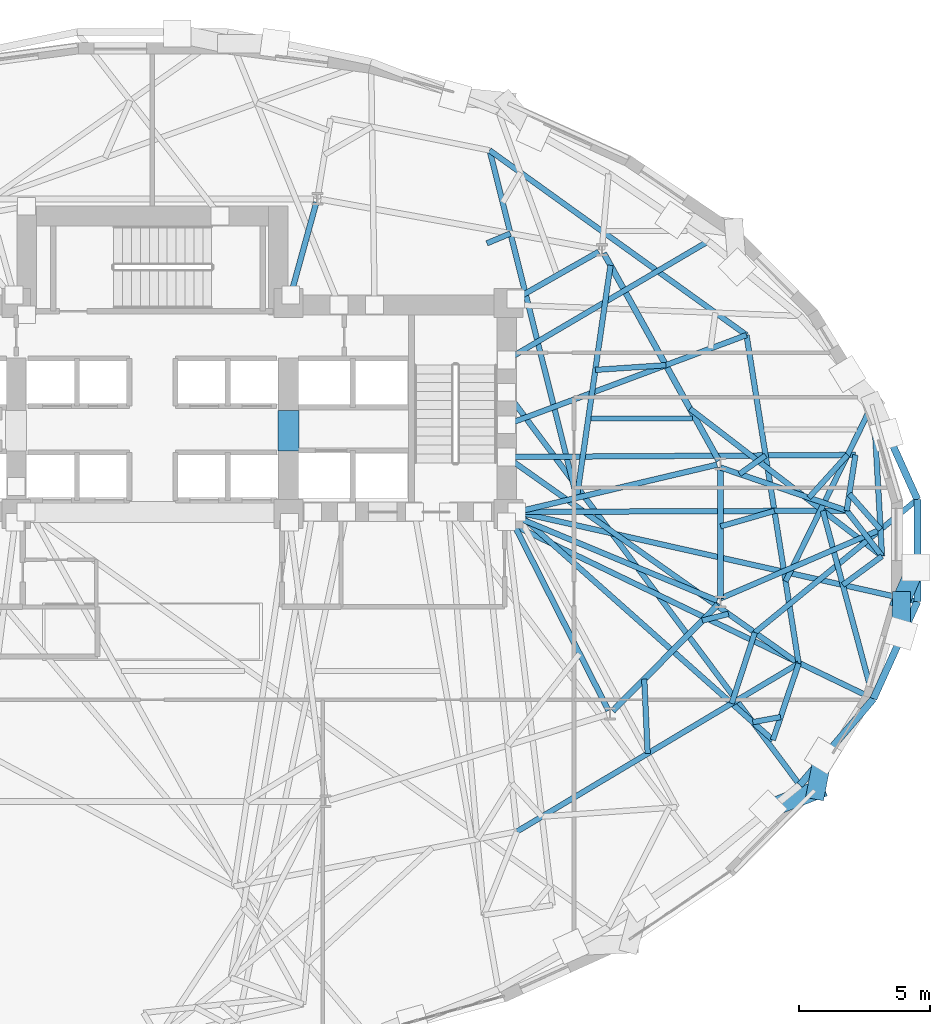
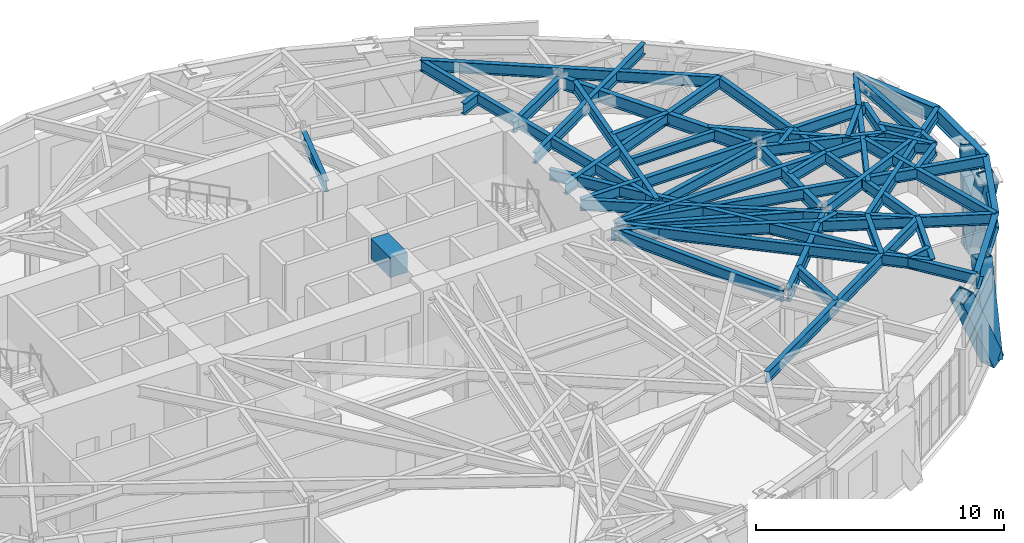
# One storey, part 6 of 20: 49 beams, 4 members.
"""IFC4 building model written with IfcOpenShell, lengths in metres."""

from ifc_helpers import new_model, si_unit, direction, frame, origin, origin_2d, place, context, subcontext, project, spatial, rectangle, hollow_rectangle, i_section, extrude, material, material_profile, profile_set, type_object, element, save


model = new_model("IFC4")

# Units and contexts
model_context = context("Model", 3, precision=1e-05, world=origin(), true_north=direction((0.0, 1.0)))
body_context = subcontext(model_context, "Body", "Model", "MODEL_VIEW")
ifc_project = project(units=[si_unit("LENGTHUNIT", "METRE"), si_unit("AREAUNIT", "SQUARE_METRE"), si_unit("VOLUMEUNIT", "CUBIC_METRE"), si_unit("PLANEANGLEUNIT", "RADIAN"), si_unit("MASSUNIT", "GRAM", prefix="KILO")], contexts=[model_context])

# Site, building, storey
site_placement = place(None, origin())
site = spatial("IfcSite", under=ifc_project, at=site_placement, CompositionType="ELEMENT")
building_placement = place(site_placement, origin())
building = spatial("IfcBuilding", under=site, at=building_placement, Name="Keldmark Tower", CompositionType="ELEMENT")
storey_placement = place(building_placement, frame((0.0, 0.0, 81.89990234375)))
storey = spatial("IfcBuildingStorey", under=building, at=storey_placement, Name="L21", CompositionType="ELEMENT", Elevation=81.89990234375)

# Beams
ifc_material_1 = material(Name="Steel ASTM A992 Grade 50", Category="steel")
ifc_material_profile_1 = material_profile(ifc_material_1, i_section(OverallWidth=0.19091796875, OverallDepth=0.45703125, WebThickness=0.009033203125, FlangeThickness=0.014404296875, at=origin_2d()), Name="W18X50")
ifc_profile_set_1 = profile_set([ifc_material_profile_1], Name="Steel ASTM A992 Grade 50")
beam_type_1 = type_object("IfcBeamType", Name="Composite Floor Joist W18X50", PredefinedType="JOIST", material=ifc_profile_set_1)
beam_1_placement = place(storey_placement, frame((16.74169921875, 5.0400390625, 3.781494140625), z_axis=(1.0, 0.0, 0.0), x_axis=(0.0, 1.0, 0.0)))
element("IfcBeam", 1, at=beam_1_placement, inside=storey, type_object=beam_type_1, Name="L21 Composite Floor Joist J08", PredefinedType="JOIST", context=body_context, shape_type="SweptSolid", body=[
    extrude(i_section(OverallWidth=0.19091796875, OverallDepth=0.45703125, WebThickness=0.009033203125, FlangeThickness=0.014404296875, at=origin_2d()), origin(), (0.0, 0.0, 1.0), 3.87451171875),
])
ifc_material_2 = material(Name="Concrete C70/85", Category="concrete")
ifc_material_profile_2 = material_profile(ifc_material_2, rectangle(XDim=0.800048828125, YDim=1.0, at=origin_2d()), Name="RCB800X1000")
ifc_profile_set_2 = profile_set([ifc_material_profile_2], Name="Concrete C70/85")
beam_type_2 = type_object("IfcBeamType", Name="Core Coupling Beam RCB800X1000", PredefinedType="USERDEFINED", material=ifc_profile_set_2)
beam_2_placement = place(storey_placement, frame((5.199951171875, 3.800048828125, 3.510009765625), z_axis=(0.0, 1.0, 0.0), x_axis=(-1.0, 0.0, 0.0)))
element("IfcBeam", 2, at=beam_2_placement, inside=storey, type_object=beam_type_2, Name="L21 East Core Coupling Beam", ObjectType="COUPLING BEAM", PredefinedType="USERDEFINED", context=body_context, shape_type="SweptSolid", body=[
    extrude(rectangle(XDim=0.800048828125, YDim=1.0, at=origin_2d()), origin(), (0.0, 0.0, 1.0), 1.550048828125),
])

# Members
ifc_material_3 = material(Name="Steel ASTM A572 Grade 50", Category="steel")
ifc_material_profile_3 = material_profile(ifc_material_3, hollow_rectangle(XDim=0.699951171875, YDim=0.699951171875, WallThickness=0.054931640625, at=origin_2d()), Name="BOX700X700X55")
ifc_profile_set_3 = profile_set([ifc_material_profile_3], Name="Steel ASTM A572 Grade 50")
member_type = type_object("IfcMemberType", Name="Diagrid Zone 1 Brace BOX700X700X55", PredefinedType="BRACE", material=ifc_profile_set_3)
member_1_placement = place(storey_placement, frame((25.352783203125, -9.154052734375, -0.2998046875), z_axis=(-0.398325246268, -0.153903180469, 0.904240459848), x_axis=(0.360409039114, -0.932794363472, 0.0)))
element("IfcMember", 3, at=member_1_placement, inside=storey, type_object=member_type, Name="L21 Perimeter Diagrid Brace 15A", PredefinedType="BRACE", context=body_context, shape_type="SweptSolid", body=[
    extrude(hollow_rectangle(XDim=0.699951171875, YDim=0.699951171875, WallThickness=0.054931640625, at=origin_2d()), origin(), (0.0, 0.0, 1.0), 4.633544921875),
])
member_2_placement = place(storey_placement, frame((25.346435546875, -9.163818359375, -0.2998046875), z_axis=(0.058584183224, 0.302952833968, 0.951203171708), x_axis=(-0.981811185418, 0.189859938344, 0.0)))
element("IfcMember", 4, at=member_2_placement, inside=storey, type_object=member_type, Name="L21 Perimeter Diagrid Brace 15B", PredefinedType="BRACE", context=body_context, shape_type="SweptSolid", body=[
    extrude(hollow_rectangle(XDim=0.699951171875, YDim=0.699951171875, WallThickness=0.054931640625, at=origin_2d()), origin(), (0.0, 0.0, 1.0), 4.40478515625),
])
member_3_placement = place(storey_placement, frame((28.60400390625, -1.893798828125, -0.2998046875), z_axis=(-0.002842836438, -0.291251380142, 0.956642332247), x_axis=(0.999952367131, -0.009760300617, 0.0)))
element("IfcMember", 5, at=member_3_placement, inside=storey, type_object=member_type, Name="L21 Perimeter Diagrid Brace 16A", PredefinedType="BRACE", context=body_context, shape_type="SweptSolid", body=[
    extrude(hollow_rectangle(XDim=0.699951171875, YDim=0.699951171875, WallThickness=0.054931640625, at=origin_2d()), origin(), (0.0, 0.0, 1.0), 4.3798828125),
])
member_4_placement = place(storey_placement, frame((28.6015625, -1.905517578125, -0.2998046875), z_axis=(0.12396012123, 0.286066076997, 0.950157927892), x_axis=(-0.917557784833, 0.397602454082, 0.0)))
element("IfcMember", 6, at=member_4_placement, inside=storey, type_object=member_type, Name="L21 Perimeter Diagrid Brace 16B", PredefinedType="BRACE", context=body_context, shape_type="SweptSolid", body=[
    extrude(hollow_rectangle(XDim=0.699951171875, YDim=0.699951171875, WallThickness=0.054931640625, at=origin_2d()), origin(), (0.0, 0.0, 1.0), 4.40966796875),
])

# Beams
ifc_material_4 = material(Name="Steel ASTM A992 Grade 50", Category="steel")
ifc_material_profile_4 = material_profile(ifc_material_4, i_section(OverallWidth=0.22900390625, OverallDepth=0.612060546875, WebThickness=0.011962890625, FlangeThickness=0.01953125, at=origin_2d()), Name="W24X84")
ifc_profile_set_4 = profile_set([ifc_material_profile_4], Name="Steel ASTM A992 Grade 50")
beam_type_3 = type_object("IfcBeamType", Name="Primary Floor Girder W24X84", PredefinedType="BEAM", material=ifc_profile_set_4)
beam_3_placement = place(storey_placement, frame((21.62890625, 3.432373046875, 3.7041015625), z_axis=(-0.484951836703, 0.874540860154, 0.0), x_axis=(-0.874540860154, -0.484951836703, 0.0)))
element("IfcBeam", 7, at=beam_3_placement, inside=storey, type_object=beam_type_3, Name="L21 Floor Ring Girder FG-R01", PredefinedType="BEAM", context=body_context, shape_type="SweptSolid", body=[
    extrude(i_section(OverallWidth=0.22900390625, OverallDepth=0.612060546875, WebThickness=0.011962890625, FlangeThickness=0.01953125, at=origin_2d()), origin(), (0.0, 0.0, 1.0), 9.060302734375),
])
beam_4_placement = place(storey_placement, frame((17.57568359375, -6.130126953125, 3.7041015625), z_axis=(0.703425791323, 0.71076870788, 0.0), x_axis=(-0.71076870788, 0.703425791323, 0.0)))
element("IfcBeam", 8, at=beam_4_placement, inside=storey, type_object=beam_type_3, Name="L21 Floor Ring Girder FG-R11", PredefinedType="BEAM", context=body_context, shape_type="SweptSolid", body=[
    extrude(i_section(OverallWidth=0.22900390625, OverallDepth=0.612060546875, WebThickness=0.011962890625, FlangeThickness=0.01953125, at=origin_2d()), origin(), (0.0, 0.0, 1.0), 5.71875),
])
beam_5_placement = place(storey_placement, frame((21.697021484375, -1.825927734375, 3.7041015625), z_axis=(0.0, 1.0, 0.0), x_axis=(-1.0, 0.0, 0.0)))
element("IfcBeam", 9, at=beam_5_placement, inside=storey, type_object=beam_type_3, Name="L21 Floor Ring Girder FG-R12", PredefinedType="BEAM", context=body_context, shape_type="SweptSolid", body=[
    extrude(i_section(OverallWidth=0.22900390625, OverallDepth=0.612060546875, WebThickness=0.011962890625, FlangeThickness=0.01953125, at=origin_2d()), origin(), (0.0, 0.0, 1.0), 4.995849609375),
])
ifc_material_5 = material(Name="Steel ASTM A992 Grade 50", Category="steel")
ifc_material_profile_5 = material_profile(ifc_material_5, i_section(OverallWidth=0.2099609375, OverallDepth=0.537109375, WebThickness=0.010986328125, FlangeThickness=0.017333984375, at=origin_2d()), Name="W21X68")
ifc_profile_set_5 = profile_set([ifc_material_profile_5], Name="Steel ASTM A992 Grade 50")
beam_type_4 = type_object("IfcBeamType", Name="Radial Tie Girder W21X68", PredefinedType="BEAM", material=ifc_profile_set_5)
beam_6_placement = place(storey_placement, frame((16.206298828125, 2.014892578125, 3.74169921875), z_axis=(0.14339120823, 0.98966608581, 0.0), x_axis=(-0.98966608581, 0.14339120823, 0.0)))
element("IfcBeam", 10, at=beam_6_placement, inside=storey, type_object=beam_type_4, Name="L21 Framing Pin Header PH-001", PredefinedType="BEAM", context=body_context, shape_type="SweptSolid", body=[
    extrude(i_section(OverallWidth=0.2099609375, OverallDepth=0.537109375, WebThickness=0.010986328125, FlangeThickness=0.017333984375, at=origin_2d()), origin(), (0.0, 0.0, 1.0), 8.969482421875),
])
beam_7_placement = place(storey_placement, frame((16.913818359375, 6.89697265625, 3.74169921875), z_axis=(0.997745766639, 0.06710726603, 0.0), x_axis=(-0.06710726603, 0.997745766639, 0.0)))
element("IfcBeam", 11, at=beam_7_placement, inside=storey, type_object=beam_type_4, Name="L21 Framing Pin Header PH-004", PredefinedType="BEAM", context=body_context, shape_type="SweptSolid", body=[
    extrude(i_section(OverallWidth=0.2099609375, OverallDepth=0.537109375, WebThickness=0.010986328125, FlangeThickness=0.017333984375, at=origin_2d()), origin(), (0.0, 0.0, 1.0), 2.699462890625),
])
beam_8_placement = place(storey_placement, frame((13.52490234375, 4.80712890625, 3.74169921875), z_axis=(0.936824825501, 0.349798865529, 0.0), x_axis=(-0.349798865529, 0.936824825501, 0.0)))
element("IfcBeam", 12, at=beam_8_placement, inside=storey, type_object=beam_type_4, Name="L21 Sub-Ring Step Girder STP2-M01", PredefinedType="BEAM", context=body_context, shape_type="SweptSolid", body=[
    extrude(i_section(OverallWidth=0.2099609375, OverallDepth=0.537109375, WebThickness=0.010986328125, FlangeThickness=0.017333984375, at=origin_2d()), origin(), (0.0, 0.0, 1.0), 9.77880859375),
])
beam_9_placement = place(storey_placement, frame((12.773193359375, 11.731201171875, 3.74169921875), z_axis=(0.923010250152, 0.384775360587, 0.0), x_axis=(-0.384775360587, 0.923010250152, 0.0)))
element("IfcBeam", 13, at=beam_9_placement, inside=storey, type_object=beam_type_4, Name="L21 Framing Pin Header PH-005", PredefinedType="BEAM", context=body_context, shape_type="SweptSolid", body=[
    extrude(i_section(OverallWidth=0.2099609375, OverallDepth=0.537109375, WebThickness=0.010986328125, FlangeThickness=0.017333984375, at=origin_2d()), origin(), (0.0, 0.0, 1.0), 0.975341796875),
])
beam_10_placement = place(storey_placement, frame((16.206298828125, 2.014892578125, 3.74169921875), z_axis=(-0.243438520792, 0.969916329688, 0.0), x_axis=(-0.969916329688, -0.243438520792, 0.0)))
element("IfcBeam", 14, at=beam_10_placement, inside=storey, type_object=beam_type_4, Name="L21 Sub-Ring Step Girder STP2-M02", PredefinedType="BEAM", context=body_context, shape_type="SweptSolid", body=[
    extrude(i_section(OverallWidth=0.2099609375, OverallDepth=0.537109375, WebThickness=0.010986328125, FlangeThickness=0.017333984375, at=origin_2d()), origin(), (0.0, 0.0, 1.0), 13.67724609375),
])
beam_11_placement = place(storey_placement, frame((20.9951171875, -2.675048828125, 3.74169921875), z_axis=(0.968580762224, 0.248699230095, 0.0), x_axis=(-0.248699230095, 0.968580762224, 0.0)))
element("IfcBeam", 15, at=beam_11_placement, inside=storey, type_object=beam_type_4, Name="L21 Framing Pin Header PH-009", PredefinedType="BEAM", context=body_context, shape_type="SweptSolid", body=[
    extrude(i_section(OverallWidth=0.2099609375, OverallDepth=0.537109375, WebThickness=0.010986328125, FlangeThickness=0.017333984375, at=origin_2d()), origin(), (0.0, 0.0, 1.0), 1.03369140625),
])
beam_12_placement = place(storey_placement, frame((13.52490234375, 3.5712890625, 3.74169921875), z_axis=(0.816546553809, -0.577279590374, 0.0), x_axis=(0.577279590374, 0.816546553809, 0.0)))
element("IfcBeam", 16, at=beam_12_placement, inside=storey, type_object=beam_type_4, Name="L21 Sub-Ring Step Girder STP2-M12", PredefinedType="BEAM", context=body_context, shape_type="SweptSolid", body=[
    extrude(i_section(OverallWidth=0.2099609375, OverallDepth=0.537109375, WebThickness=0.010986328125, FlangeThickness=0.017333984375, at=origin_2d()), origin(), (0.0, 0.0, 1.0), 13.65771484375),
])
beam_13_placement = place(storey_placement, frame((22.68603515625, 8.227783203125, 3.74169921875), z_axis=(-0.81191630006, 0.583773861779, 0.0), x_axis=(-0.583773861779, -0.81191630006, 0.0)))
element("IfcBeam", 17, at=beam_13_placement, inside=storey, type_object=beam_type_4, Name="L21 Perimeter Collector Ring Beam CRG2-M01", PredefinedType="BEAM", context=body_context, shape_type="SweptSolid", body=[
    extrude(i_section(OverallWidth=0.2099609375, OverallDepth=0.537109375, WebThickness=0.010986328125, FlangeThickness=0.017333984375, at=origin_2d()), origin(), (0.0, 0.0, 1.0), 12.081787109375),
])
beam_14_placement = place(storey_placement, frame((13.923583984375, -10.726318359375, 3.74169921875), z_axis=(0.85885426925, 0.512220015414, 0.0), x_axis=(-0.512220015414, 0.85885426925, 0.0)))
element("IfcBeam", 18, at=beam_14_placement, inside=storey, type_object=beam_type_4, Name="L21 Perimeter Collector Ring Beam CRG2-M11", PredefinedType="BEAM", context=body_context, shape_type="SweptSolid", body=[
    extrude(i_section(OverallWidth=0.2099609375, OverallDepth=0.537109375, WebThickness=0.010986328125, FlangeThickness=0.017333984375, at=origin_2d()), origin(), (0.0, 0.0, 1.0), 12.520751953125),
])
beam_15_placement = place(storey_placement, frame((24.677001953125, -4.31298828125, 3.74169921875), z_axis=(-0.156795824631, 0.987631039092, 0.0), x_axis=(-0.987631039092, -0.156795824631, 0.0)))
element("IfcBeam", 19, at=beam_15_placement, inside=storey, type_object=beam_type_4, Name="L21 Perimeter Collector Ring Beam CRG2-M12", PredefinedType="BEAM", context=body_context, shape_type="SweptSolid", body=[
    extrude(i_section(OverallWidth=0.2099609375, OverallDepth=0.537109375, WebThickness=0.010986328125, FlangeThickness=0.017333984375, at=origin_2d()), origin(), (0.0, 0.0, 1.0), 12.69775390625),
])
beam_16_placement = place(storey_placement, frame((21.697021484375, 0.921875, 3.74169921875), z_axis=(0.961195795185, 0.275867075453, 0.0), x_axis=(-0.275867075453, 0.961195795185, 0.0)))
element("IfcBeam", 20, at=beam_16_placement, inside=storey, type_object=beam_type_4, Name="L21 Framing Pin Header PH-010", PredefinedType="BEAM", context=body_context, shape_type="SweptSolid", body=[
    extrude(i_section(OverallWidth=0.2099609375, OverallDepth=0.537109375, WebThickness=0.010986328125, FlangeThickness=0.017333984375, at=origin_2d()), origin(), (0.0, 0.0, 1.0), 2.13818359375),
])
beam_17_placement = place(storey_placement, frame((13.89990234375, 1.47509765625, 3.74169921875), z_axis=(0.999993022433, 0.003735650614, 0.0), x_axis=(-0.003735650614, 0.999993022433, 0.0)))
element("IfcBeam", 21, at=beam_17_placement, inside=storey, type_object=beam_type_4, Name="L21 Intermediate Radial Step Girder RT-01M", PredefinedType="BEAM", context=body_context, shape_type="SweptSolid", body=[
    extrude(i_section(OverallWidth=0.2099609375, OverallDepth=0.537109375, WebThickness=0.010986328125, FlangeThickness=0.017333984375, at=origin_2d()), origin(), (0.0, 0.0, 1.0), 12.61328125),
])
beam_18_placement = place(storey_placement, frame((21.697021484375, 3.169921875, 3.74169921875), z_axis=(0.946159732756, -0.323700108297, 0.0), x_axis=(0.323700108297, 0.946159732756, 0.0)))
element("IfcBeam", 22, at=beam_18_placement, inside=storey, type_object=beam_type_4, Name="L21 Local Collector Chord RT-01C", PredefinedType="BEAM", context=body_context, shape_type="SweptSolid", body=[
    extrude(i_section(OverallWidth=0.2099609375, OverallDepth=0.537109375, WebThickness=0.010986328125, FlangeThickness=0.017333984375, at=origin_2d()), origin(), (0.0, 0.0, 1.0), 5.09033203125),
])
beam_19_placement = place(storey_placement, frame((22.419189453125, 2.922607421875, 3.74169921875), z_axis=(0.814837986034, 0.579688758315, 0.0), x_axis=(-0.579688758315, 0.814837986034, 0.0)))
element("IfcBeam", 23, at=beam_19_placement, inside=storey, type_object=beam_type_4, Name="L21 Framing Pin Header PH-011", PredefinedType="BEAM", context=body_context, shape_type="SweptSolid", body=[
    extrude(i_section(OverallWidth=0.2099609375, OverallDepth=0.537109375, WebThickness=0.010986328125, FlangeThickness=0.017333984375, at=origin_2d()), origin(), (0.0, 0.0, 1.0), 1.22314453125),
])
beam_20_placement = place(storey_placement, frame((13.52490234375, 3.5712890625, 3.74169921875), z_axis=(0.99998148324, 0.006085489001, 0.0), x_axis=(-0.006085489001, 0.99998148324, 0.0)))
element("IfcBeam", 24, at=beam_20_placement, inside=storey, type_object=beam_type_4, Name="L21 Intermediate Radial Step Girder RT-02M", PredefinedType="BEAM", context=body_context, shape_type="SweptSolid", body=[
    extrude(i_section(OverallWidth=0.2099609375, OverallDepth=0.537109375, WebThickness=0.010986328125, FlangeThickness=0.017333984375, at=origin_2d()), origin(), (0.0, 0.0, 1.0), 13.3193359375),
])
beam_21_placement = place(storey_placement, frame((26.51318359375, 1.522216796875, 3.74169921875), z_axis=(0.15346126866, 0.988154663512, 0.0), x_axis=(-0.988154663512, 0.15346126866, 0.0)))
element("IfcBeam", 25, at=beam_21_placement, inside=storey, type_object=beam_type_4, Name="L21 Local Collector Chord RT-02C", PredefinedType="BEAM", context=body_context, shape_type="SweptSolid", body=[
    extrude(i_section(OverallWidth=0.2099609375, OverallDepth=0.537109375, WebThickness=0.010986328125, FlangeThickness=0.017333984375, at=origin_2d()), origin(), (0.0, 0.0, 1.0), 2.15576171875),
])
beam_22_placement = place(storey_placement, frame((25.068359375, 2.016357421875, 3.74169921875), z_axis=(0.67057954857, 0.741837629835, 0.0), x_axis=(-0.741837629835, 0.67057954857, 0.0)))
element("IfcBeam", 26, at=beam_22_placement, inside=storey, type_object=beam_type_4, Name="L21 Framing Pin Header PH-012", PredefinedType="BEAM", context=body_context, shape_type="SweptSolid", body=[
    extrude(i_section(OverallWidth=0.2099609375, OverallDepth=0.537109375, WebThickness=0.010986328125, FlangeThickness=0.017333984375, at=origin_2d()), origin(), (0.0, 0.0, 1.0), 2.203125),
])
beam_23_placement = place(storey_placement, frame((24.17919921875, -1.177978515625, 3.74169921875), z_axis=(0.440095896357, 0.89795077928, 0.0), x_axis=(-0.89795077928, 0.440095896357, 0.0)))
element("IfcBeam", 27, at=beam_23_placement, inside=storey, type_object=beam_type_4, Name="L21 Perimeter Radial Tie Girder RT-02", PredefinedType="BEAM", context=body_context, shape_type="SweptSolid", body=[
    extrude(i_section(OverallWidth=0.2099609375, OverallDepth=0.537109375, WebThickness=0.010986328125, FlangeThickness=0.017333984375, at=origin_2d()), origin(), (0.0, 0.0, 1.0), 7.615966796875),
])
beam_24_placement = place(storey_placement, frame((13.52490234375, 7.278564453125, 3.74169921875), z_axis=(0.861982019138, 0.506938851029, 0.0), x_axis=(-0.506938851029, 0.861982019138, 0.0)))
element("IfcBeam", 28, at=beam_24_placement, inside=storey, type_object=beam_type_4, Name="L21 Perimeter Radial Tie Girder RT-04", PredefinedType="BEAM", context=body_context, shape_type="SweptSolid", body=[
    extrude(i_section(OverallWidth=0.2099609375, OverallDepth=0.537109375, WebThickness=0.010986328125, FlangeThickness=0.017333984375, at=origin_2d()), origin(), (0.0, 0.0, 1.0), 8.927001953125),
])
beam_25_placement = place(storey_placement, frame((18.78271484375, -4.91064453125, 3.74169921875), z_axis=(0.045419344804, -0.998968009056, 0.0), x_axis=(0.998968009056, 0.045419344804, 0.0)))
element("IfcBeam", 29, at=beam_25_placement, inside=storey, type_object=beam_type_4, Name="L21 Framing Pin Header PH-032", PredefinedType="BEAM", context=body_context, shape_type="SweptSolid", body=[
    extrude(i_section(OverallWidth=0.2099609375, OverallDepth=0.537109375, WebThickness=0.010986328125, FlangeThickness=0.017333984375, at=origin_2d()), origin(), (0.0, 0.0, 1.0), 2.843505859375),
])
beam_26_placement = place(storey_placement, frame((23.004150390625, -3.13037109375, 3.74169921875), z_axis=(-0.309865553629, -0.950780384039, 0.0), x_axis=(0.950780384039, -0.309865553629, 0.0)))
element("IfcBeam", 30, at=beam_26_placement, inside=storey, type_object=beam_type_4, Name="L21 Framing Pin Header PH-034", PredefinedType="BEAM", context=body_context, shape_type="SweptSolid", body=[
    extrude(i_section(OverallWidth=0.2099609375, OverallDepth=0.537109375, WebThickness=0.010986328125, FlangeThickness=0.017333984375, at=origin_2d()), origin(), (0.0, 0.0, 1.0), 2.8466796875),
])
beam_27_placement = place(storey_placement, frame((13.89990234375, 1.47509765625, 3.74169921875), z_axis=(0.747260272553, -0.664531477858, 0.0), x_axis=(0.664531477858, 0.747260272553, 0.0)))
element("IfcBeam", 31, at=beam_27_placement, inside=storey, type_object=beam_type_4, Name="L21 Intermediate Radial Step Girder RT-30M", PredefinedType="BEAM", context=body_context, shape_type="SweptSolid", body=[
    extrude(i_section(OverallWidth=0.2099609375, OverallDepth=0.537109375, WebThickness=0.010986328125, FlangeThickness=0.017333984375, at=origin_2d()), origin(), (0.0, 0.0, 1.0), 13.105712890625),
])
beam_28_placement = place(storey_placement, frame((24.677001953125, -4.31298828125, 3.74169921875), z_axis=(-0.319125268176, -0.9477125425, 0.0), x_axis=(0.9477125425, -0.319125268176, 0.0)))
element("IfcBeam", 32, at=beam_28_placement, inside=storey, type_object=beam_type_4, Name="L21 Local Collector Chord RT-30C", PredefinedType="BEAM", context=body_context, shape_type="SweptSolid", body=[
    extrude(i_section(OverallWidth=0.2099609375, OverallDepth=0.537109375, WebThickness=0.010986328125, FlangeThickness=0.017333984375, at=origin_2d()), origin(), (0.0, 0.0, 1.0), 3.082275390625),
])
beam_29_placement = place(storey_placement, frame((23.988525390625, -6.35791015625, 3.74169921875), z_axis=(-0.98390963973, -0.178666787196, 0.0), x_axis=(0.178666787196, -0.98390963973, 0.0)))
element("IfcBeam", 33, at=beam_29_placement, inside=storey, type_object=beam_type_4, Name="L21 Framing Pin Header PH-035", PredefinedType="BEAM", context=body_context, shape_type="SweptSolid", body=[
    extrude(i_section(OverallWidth=0.2099609375, OverallDepth=0.537109375, WebThickness=0.010986328125, FlangeThickness=0.017333984375, at=origin_2d()), origin(), (0.0, 0.0, 1.0), 1.080810546875),
])
beam_30_placement = place(storey_placement, frame((13.52490234375, 6.04296875, 3.74169921875), z_axis=(0.598155561458, -0.801380012414, 0.0), x_axis=(0.801380012414, 0.598155561458, 0.0)))
element("IfcBeam", 34, at=beam_30_placement, inside=storey, type_object=beam_type_4, Name="L21 Perimeter Radial Tie Girder RT-30", PredefinedType="BEAM", context=body_context, shape_type="SweptSolid", body=[
    extrude(i_section(OverallWidth=0.2099609375, OverallDepth=0.537109375, WebThickness=0.010986328125, FlangeThickness=0.017333984375, at=origin_2d()), origin(), (0.0, 0.0, 1.0), 18.716796875),
])
beam_31_placement = place(storey_placement, frame((13.52490234375, 1.10009765625, 3.74169921875), z_axis=(0.900566258865, -0.434718775066, 0.0), x_axis=(0.434718775066, 0.900566258865, 0.0)))
element("IfcBeam", 35, at=beam_31_placement, inside=storey, type_object=beam_type_4, Name="L21 Perimeter Radial Tie Girder RT-31", PredefinedType="BEAM", context=body_context, shape_type="SweptSolid", body=[
    extrude(i_section(OverallWidth=0.2099609375, OverallDepth=0.537109375, WebThickness=0.010986328125, FlangeThickness=0.017333984375, at=origin_2d()), origin(), (0.0, 0.0, 1.0), 15.552490234375),
])
beam_32_placement = place(storey_placement, frame((27.531005859375, -5.660888671875, 3.74169921875), z_axis=(-0.259283238334, 0.965801326526, 0.0), x_axis=(-0.965801326526, -0.259283238334, 0.0)))
element("IfcBeam", 36, at=beam_32_placement, inside=storey, type_object=beam_type_4, Name="L21 Framing Pin Header PH-036", PredefinedType="BEAM", context=body_context, shape_type="SweptSolid", body=[
    extrude(i_section(OverallWidth=0.2099609375, OverallDepth=0.537109375, WebThickness=0.010986328125, FlangeThickness=0.017333984375, at=origin_2d()), origin(), (0.0, 0.0, 1.0), 7.433837890625),
])
beam_33_placement = place(storey_placement, frame((20.530517578125, 5.4130859375, 3.74169921875), z_axis=(0.793228602889, -0.608923955482, 0.0), x_axis=(0.608923955482, 0.793228602889, 0.0)))
element("IfcBeam", 37, at=beam_33_placement, inside=storey, type_object=beam_type_4, Name="L21 Intermediate Radial Step Girder RT-32M", PredefinedType="BEAM", context=body_context, shape_type="SweptSolid", body=[
    extrude(i_section(OverallWidth=0.2099609375, OverallDepth=0.537109375, WebThickness=0.010986328125, FlangeThickness=0.017333984375, at=origin_2d()), origin(), (0.0, 0.0, 1.0), 9.24072265625),
])
beam_34_placement = place(storey_placement, frame((26.51318359375, 1.522216796875, 3.74169921875), z_axis=(0.613125030685, -0.789985883892, 0.0), x_axis=(0.789985883892, 0.613125030685, 0.0)))
element("IfcBeam", 38, at=beam_34_placement, inside=storey, type_object=beam_type_4, Name="L21 Local Collector Chord RT-32C", PredefinedType="BEAM", context=body_context, shape_type="SweptSolid", body=[
    extrude(i_section(OverallWidth=0.2099609375, OverallDepth=0.537109375, WebThickness=0.010986328125, FlangeThickness=0.017333984375, at=origin_2d()), origin(), (0.0, 0.0, 1.0), 2.197509765625),
])
beam_35_placement = place(storey_placement, frame((27.860595703125, -0.2138671875, 3.74169921875), z_axis=(-0.056014646083, 0.998429947179, 0.0), x_axis=(-0.998429947179, -0.056014646083, 0.0)))
element("IfcBeam", 39, at=beam_35_placement, inside=storey, type_object=beam_type_4, Name="L21 Straddling Support Chord RT-01RB", PredefinedType="BEAM", context=body_context, shape_type="SweptSolid", body=[
    extrude(i_section(OverallWidth=0.2099609375, OverallDepth=0.537109375, WebThickness=0.010986328125, FlangeThickness=0.017333984375, at=origin_2d()), origin(), (0.0, 0.0, 1.0), 5.884033203125),
])
beam_36_placement = place(storey_placement, frame((26.6123046875, 2.1611328125, 3.74169921875), z_axis=(0.658647925665, -0.752451267537, 0.0), x_axis=(0.752451267537, 0.658647925665, 0.0)))
element("IfcBeam", 40, at=beam_36_placement, inside=storey, type_object=beam_type_4, Name="L21 Framing Pin Header PH-037", PredefinedType="BEAM", context=body_context, shape_type="SweptSolid", body=[
    extrude(i_section(OverallWidth=0.2099609375, OverallDepth=0.537109375, WebThickness=0.010986328125, FlangeThickness=0.017333984375, at=origin_2d()), origin(), (0.0, 0.0, 1.0), 1.808837890625),
])
beam_37_placement = place(storey_placement, frame((23.004150390625, -3.13037109375, 3.74169921875), z_axis=(0.773685919247, 0.633569331927, 0.0), x_axis=(-0.633569331927, 0.773685919247, 0.0)))
element("IfcBeam", 41, at=beam_37_placement, inside=storey, type_object=beam_type_4, Name="L21 Perimeter Radial Tie Girder RT-01R", PredefinedType="BEAM", context=body_context, shape_type="SweptSolid", body=[
    extrude(i_section(OverallWidth=0.2099609375, OverallDepth=0.537109375, WebThickness=0.010986328125, FlangeThickness=0.017333984375, at=origin_2d()), origin(), (0.0, 0.0, 1.0), 8.0185546875),
])
beam_38_placement = place(storey_placement, frame((21.697021484375, -1.825927734375, 3.74169921875), z_axis=(0.918663722854, 0.395040459082, 0.0), x_axis=(-0.395040459082, 0.918663722854, 0.0)))
element("IfcBeam", 42, at=beam_38_placement, inside=storey, type_object=beam_type_4, Name="L21 Straddling Support Chord RT-32RB", PredefinedType="BEAM", context=body_context, shape_type="SweptSolid", body=[
    extrude(i_section(OverallWidth=0.2099609375, OverallDepth=0.537109375, WebThickness=0.010986328125, FlangeThickness=0.017333984375, at=origin_2d()), origin(), (0.0, 0.0, 1.0), 6.6474609375),
])
beam_39_placement = place(storey_placement, frame((27.860595703125, -0.2138671875, 3.74169921875), z_axis=(-0.805798603187, -0.592189674936, 0.0), x_axis=(0.592189674936, -0.805798603187, 0.0)))
element("IfcBeam", 43, at=beam_39_placement, inside=storey, type_object=beam_type_4, Name="L21 Framing Pin Header PH-048", PredefinedType="BEAM", context=body_context, shape_type="SweptSolid", body=[
    extrude(i_section(OverallWidth=0.2099609375, OverallDepth=0.537109375, WebThickness=0.010986328125, FlangeThickness=0.017333984375, at=origin_2d()), origin(), (0.0, 0.0, 1.0), 1.857177734375),
])
beam_40_placement = place(storey_placement, frame((13.89990234375, 1.47509765625, 3.74169921875), z_axis=(0.975872202116, -0.218342495032, 0.0), x_axis=(0.218342495032, 0.975872202116, 0.0)))
element("IfcBeam", 44, at=beam_40_placement, inside=storey, type_object=beam_type_4, Name="L21 Perimeter Radial Tie Girder RT-32R", PredefinedType="BEAM", context=body_context, shape_type="SweptSolid", body=[
    extrude(i_section(OverallWidth=0.2099609375, OverallDepth=0.537109375, WebThickness=0.010986328125, FlangeThickness=0.017333984375, at=origin_2d()), origin(), (0.0, 0.0, 1.0), 15.6865234375),
])
ifc_material_6 = material(Name="Steel ASTM A992 Grade 50", Category="steel")
ifc_material_profile_6 = material_profile(ifc_material_6, i_section(OverallWidth=0.214111328125, OverallDepth=0.549072265625, WebThickness=0.0146484375, FlangeThickness=0.023681640625, at=origin_2d()), Name="W21X93")
ifc_profile_set_6 = profile_set([ifc_material_profile_6], Name="Steel ASTM A992 Grade 50")
beam_type_5 = type_object("IfcBeamType", Name="Radial Tie Girder W21X93", PredefinedType="BEAM", material=ifc_profile_set_6)
beam_41_placement = place(storey_placement, frame((21.560546875, 3.27783203125, 3.735595703125), z_axis=(-0.973283778272, -0.229605502879, 0.0), x_axis=(0.229605502879, -0.973283778272, 0.0)))
element("IfcBeam", 45, at=beam_41_placement, inside=storey, type_object=beam_type_5, Name="L21 Floor Radial Girder FG-C01", PredefinedType="BEAM", context=body_context, shape_type="SweptSolid", body=[
    extrude(i_section(OverallWidth=0.214111328125, OverallDepth=0.549072265625, WebThickness=0.0146484375, FlangeThickness=0.023681640625, at=origin_2d()), origin(), (0.0, 0.0, 1.0), 7.85888671875),
])
beam_42_placement = place(storey_placement, frame((17.04541015625, 11.4091796875, 3.735595703125), z_axis=(-0.86928447329, -0.494312152892, 0.0), x_axis=(0.494312152892, -0.86928447329, 0.0)))
element("IfcBeam", 46, at=beam_42_placement, inside=storey, type_object=beam_type_5, Name="L21 Floor Radial Girder FG-C02", PredefinedType="BEAM", context=body_context, shape_type="SweptSolid", body=[
    extrude(i_section(OverallWidth=0.214111328125, OverallDepth=0.549072265625, WebThickness=0.0146484375, FlangeThickness=0.023681640625, at=origin_2d()), origin(), (0.0, 0.0, 1.0), 3.6435546875),
])
beam_43_placement = place(storey_placement, frame((6.26171875, 13.297607421875, 3.735595703125), z_axis=(-0.265997186795, -0.963973804944, 0.0), x_axis=(0.963973804944, -0.265997186795, 0.0)))
element("IfcBeam", 47, at=beam_43_placement, inside=storey, type_object=beam_type_5, Name="L21 Floor Radial Girder FG-C03", PredefinedType="BEAM", context=body_context, shape_type="SweptSolid", body=[
    extrude(i_section(OverallWidth=0.214111328125, OverallDepth=0.549072265625, WebThickness=0.0146484375, FlangeThickness=0.023681640625, at=origin_2d()), origin(), (0.0, 0.0, 1.0), 3.67138671875),
])
beam_44_placement = place(storey_placement, frame((17.413818359375, -6.104736328125, 3.735595703125), z_axis=(-0.453028637759, 0.891495963743, 0.0), x_axis=(-0.891495963743, -0.453028637759, 0.0)))
element("IfcBeam", 48, at=beam_44_placement, inside=storey, type_object=beam_type_5, Name="L21 Floor Radial Girder FG-C11", PredefinedType="BEAM", context=body_context, shape_type="SweptSolid", body=[
    extrude(i_section(OverallWidth=0.214111328125, OverallDepth=0.549072265625, WebThickness=0.0146484375, FlangeThickness=0.023681640625, at=origin_2d()), origin(), (0.0, 0.0, 1.0), 8.09814453125),
])
beam_45_placement = place(storey_placement, frame((21.567626953125, -1.912109375, 3.735595703125), z_axis=(-0.923397393633, 0.383845350932, 0.0), x_axis=(-0.383845350932, -0.923397393633, 0.0)))
element("IfcBeam", 49, at=beam_45_placement, inside=storey, type_object=beam_type_5, Name="L21 Floor Radial Girder FG-C12", PredefinedType="BEAM", context=body_context, shape_type="SweptSolid", body=[
    extrude(i_section(OverallWidth=0.214111328125, OverallDepth=0.549072265625, WebThickness=0.0146484375, FlangeThickness=0.023681640625, at=origin_2d()), origin(), (0.0, 0.0, 1.0), 8.30859375),
])
ifc_material_7 = material(Name="Steel ASTM A992 Grade 50", Category="steel")
ifc_material_profile_7 = material_profile(ifc_material_7, i_section(OverallWidth=0.26806640625, OverallDepth=0.77001953125, WebThickness=0.015625, FlangeThickness=0.025390625, at=origin_2d()), Name="W30X132")
ifc_profile_set_7 = profile_set([ifc_material_profile_7], Name="Steel ASTM A992 Grade 50")
beam_type_6 = type_object("IfcBeamType", Name="Spandrel Ring Beam W30X132", PredefinedType="SPANDREL", material=ifc_profile_set_7)
beam_46_placement = place(storey_placement, frame((29.2080078125, 1.949951171875, 3.625), z_axis=(-0.411809988363, 0.911269736952, 0.0), x_axis=(-0.911269736952, -0.411809988363, 0.0)))
element("IfcBeam", 50, at=beam_46_placement, inside=storey, type_object=beam_type_6, Name="L21 Perimeter Spandrel Ring Beam SRB-01", PredefinedType="SPANDREL", context=body_context, shape_type="SweptSolid", body=[
    extrude(i_section(OverallWidth=0.26806640625, OverallDepth=0.77001953125, WebThickness=0.015625, FlangeThickness=0.025390625, at=origin_2d()), origin(), (0.0, 0.0, 1.0), 4.072265625),
])
beam_47_placement = place(storey_placement, frame((24.720458984375, -8.956298828125, 3.625), z_axis=(0.648913975558, 0.760861782669, 0.0), x_axis=(-0.760861782669, 0.648913975558, 0.0)))
element("IfcBeam", 51, at=beam_47_placement, inside=storey, type_object=beam_type_6, Name="L21 Perimeter Spandrel Ring Beam SRB-30", PredefinedType="SPANDREL", context=body_context, shape_type="SweptSolid", body=[
    extrude(i_section(OverallWidth=0.26806640625, OverallDepth=0.77001953125, WebThickness=0.015625, FlangeThickness=0.025390625, at=origin_2d()), origin(), (0.0, 0.0, 1.0), 4.3310546875),
])
beam_48_placement = place(storey_placement, frame((27.531005859375, -5.660888671875, 3.625), z_axis=(0.411809988363, 0.911269736952, 0.0), x_axis=(-0.911269736952, 0.411809988363, 0.0)))
element("IfcBeam", 52, at=beam_48_placement, inside=storey, type_object=beam_type_6, Name="L21 Perimeter Spandrel Ring Beam SRB-31", PredefinedType="SPANDREL", context=body_context, shape_type="SweptSolid", body=[
    extrude(i_section(OverallWidth=0.26806640625, OverallDepth=0.77001953125, WebThickness=0.015625, FlangeThickness=0.025390625, at=origin_2d()), origin(), (0.0, 0.0, 1.0), 4.072265625),
])
beam_49_placement = place(storey_placement, frame((29.2080078125, -1.949951171875, 3.625), z_axis=(0.0, 1.0, 0.0), x_axis=(-1.0, 0.0, 0.0)))
element("IfcBeam", 53, at=beam_49_placement, inside=storey, type_object=beam_type_6, Name="L21 Perimeter Spandrel Ring Beam SRB-32", PredefinedType="SPANDREL", context=body_context, shape_type="SweptSolid", body=[
    extrude(i_section(OverallWidth=0.26806640625, OverallDepth=0.77001953125, WebThickness=0.015625, FlangeThickness=0.025390625, at=origin_2d()), origin(), (0.0, 0.0, 1.0), 3.89990234375),
])

save(model, "model.ifc")
